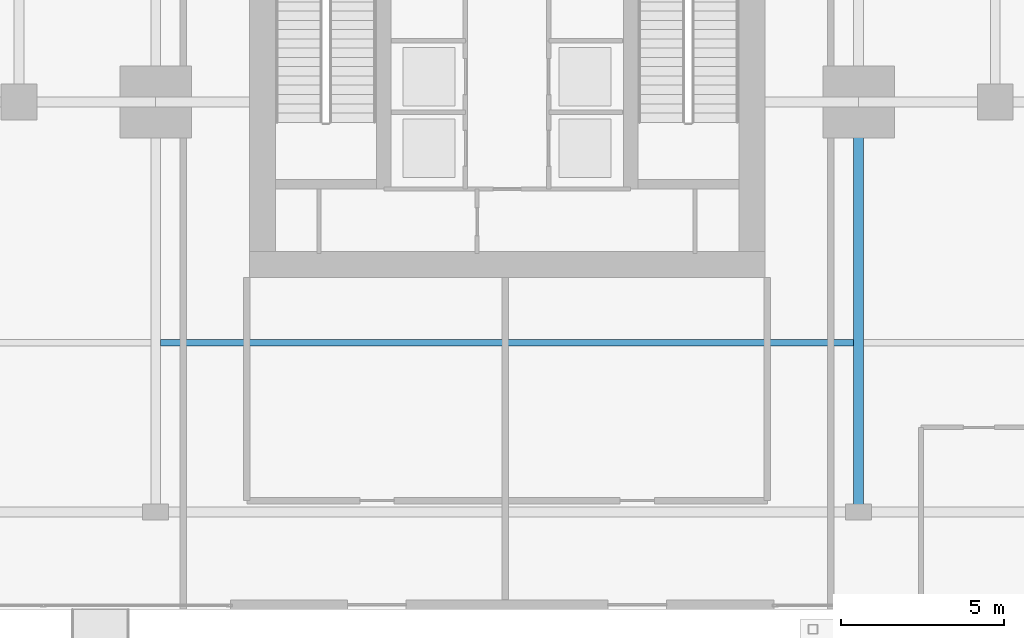
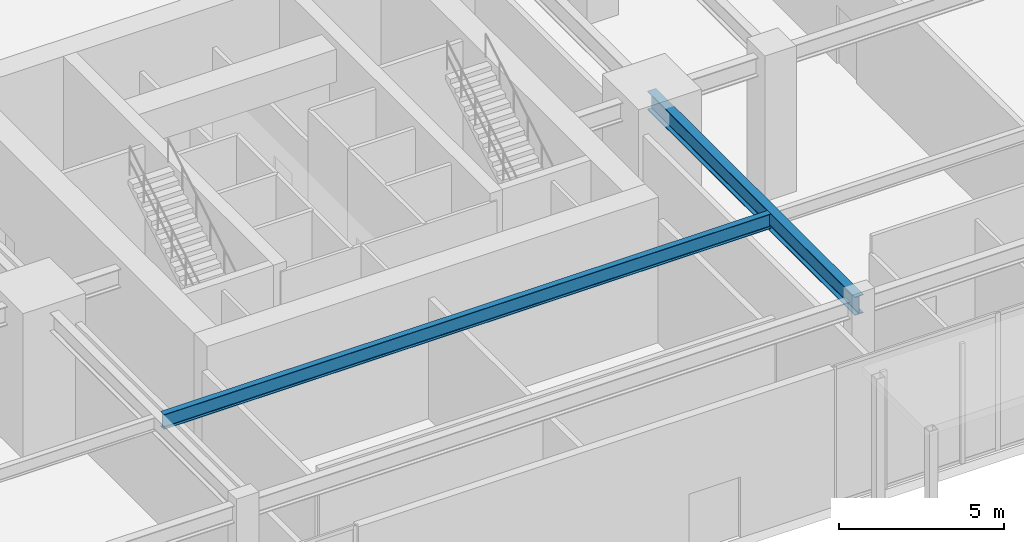
# One storey, part 11 of 28: 2 beams.
"""IFC4 building model written with IfcOpenShell, lengths in metres."""

import ifcopenshell
import ifcopenshell.guid

model = None  # the IFC model being written
_history = None  # IfcOwnerHistory: only IFC2X3 demands one
_inside = {}  # id of a spatial element -> (the spatial element, [elements in it])
_under = {}  # id of a project, library or spatial element -> (it, [spatial elements below it])
_declared = {}  # id of a project -> (the project, [libraries it declares])
_typed = {}  # id of a type object -> (the type object, [elements of that type])
_made_of = {}  # id of a material, layer set ... -> (it, [elements and type objects made of it])


def new_model(schema):
    """Start an empty IFC model of exactly this schema.

    Asked for "IFC4X3", IfcOpenShell would pick the latest addendum, in which some entities
    have other attributes; the version numbers below select the first issue.
    IFC2X3 requires an IfcOwnerHistory on every rooted entity: one is made here for all.
    """
    global model, _history
    if schema == "IFC4X3":
        model = ifcopenshell.file(schema_version=(4, 3, 0, 0))
    else:
        model = ifcopenshell.file(schema=schema)
    _inside.clear()
    _under.clear()
    _declared.clear()
    _typed.clear()
    _made_of.clear()
    _history = None
    if model.schema == "IFC2X3":
        org = make("IfcOrganization", Name="unknown")
        user = make(
            "IfcPersonAndOrganization",
            ThePerson=make("IfcPerson", FamilyName="unknown"),
            TheOrganization=org,
        )
        app = make(
            "IfcApplication",
            ApplicationDeveloper=org,
            Version="unknown",
            ApplicationFullName="unknown",
            ApplicationIdentifier="unknown",
        )
        _history = make(
            "IfcOwnerHistory",
            OwningUser=user,
            OwningApplication=app,
            ChangeAction="ADDED",
            CreationDate=0,
        )
    return model


def make(cls, **values):
    """One entity of the class cls with the attributes given. An attribute that is None is left unset."""
    return model.create_entity(
        cls, **{name: value for name, value in values.items() if value is not None}
    )


def rooted(cls, **values):
    """An entity with a GlobalId (a new one), such as an element, a storey or a relation."""
    return make(cls, GlobalId=ifcopenshell.guid.new(), OwnerHistory=_history, **values)


def si_unit(unit_type, name, prefix=None):
    """IfcSIUnit, for example si_unit("LENGTHUNIT", "METRE", prefix="MILLI")."""
    return make("IfcSIUnit", UnitType=unit_type, Prefix=prefix, Name=name)


def assignment(units):
    """IfcUnitAssignment: the units of a project."""
    return None if units is None else make("IfcUnitAssignment", Units=units)


def point(xyz):
    """IfcCartesianPoint."""
    return None if xyz is None else make("IfcCartesianPoint", Coordinates=xyz)


def direction(xyz):
    """IfcDirection."""
    return None if xyz is None else make("IfcDirection", DirectionRatios=xyz)


def frame(location, z_axis=None, x_axis=None):
    """IfcAxis2Placement3D, a coordinate frame: its origin and axes. An axis left out is left unset."""
    return make(
        "IfcAxis2Placement3D",
        Location=point(location),
        Axis=direction(z_axis),
        RefDirection=direction(x_axis),
    )


def frame_2d(location, x_axis=None):
    """IfcAxis2Placement2D, a coordinate frame in the plane: its origin and x axis."""
    return make(
        "IfcAxis2Placement2D", Location=point(location), RefDirection=direction(x_axis)
    )


def origin():
    """The frame at (0, 0, 0) with its axes left unset."""
    return frame((0.0, 0.0, 0.0))


def origin_2d():
    """The frame at (0, 0) in the plane with its x axis left unset."""
    return frame_2d((0.0, 0.0))


def place(relative_to, where):
    """IfcLocalPlacement: puts the frame where relative to a parent placement (None: the world)."""
    return make(
        "IfcLocalPlacement", PlacementRelTo=relative_to, RelativePlacement=where
    )


def context(
    kind, dimensions, precision=None, world=None, true_north=None, identifier=None
):
    """IfcGeometricRepresentationContext, for example the 3D "Model" context."""
    return make(
        "IfcGeometricRepresentationContext",
        ContextIdentifier=identifier,
        ContextType=kind,
        CoordinateSpaceDimension=dimensions,
        Precision=precision,
        WorldCoordinateSystem=world,
        TrueNorth=true_north,
    )


def subcontext(parent, identifier, kind, view, scale=None):
    """IfcGeometricRepresentationSubContext, for example "Body" below "Model"."""
    return make(
        "IfcGeometricRepresentationSubContext",
        ContextIdentifier=identifier,
        ContextType=kind,
        ParentContext=parent,
        TargetScale=scale,
        TargetView=view,
    )


def project(units=None, contexts=None):
    """IfcProject with its units and contexts."""
    return rooted(
        "IfcProject",
        Name="project",
        RepresentationContexts=contexts,
        UnitsInContext=assignment(units),
    )


def spatial(cls, under=None, at=None, **own):
    """A site, building, storey or space (cls), placed at a placement, below another one or the project."""
    s = rooted(cls, ObjectPlacement=at, **own)
    if under is not None:
        _under.setdefault(under.id(), (under, []))[1].append(s)
    return s


def profile(cls, at=None, kind="AREA", **sizes):
    """A parametric profile (cls). Its sizes go by their IFC names, for example OverallWidth=200.0."""
    return make(cls, ProfileType=kind, Position=at, **sizes)


def i_section(**sizes):
    """IfcIShapeProfileDef."""
    return profile("IfcIShapeProfileDef", **sizes)


def extrude(swept, where, along, depth):
    """IfcExtrudedAreaSolid: the profile swept, set in the frame where, extruded along a direction by depth."""
    return make(
        "IfcExtrudedAreaSolid",
        SweptArea=swept,
        Position=where,
        ExtrudedDirection=direction(along),
        Depth=depth,
    )


def shape(context_of_items, identifier, shape_type, items):
    """IfcShapeRepresentation: the items that make up one representation, for example the "Body"."""
    return make(
        "IfcShapeRepresentation",
        ContextOfItems=context_of_items,
        RepresentationIdentifier=identifier,
        RepresentationType=shape_type,
        Items=items,
    )


def source(mapping_origin, context_of_items, identifier, shape_type, items):
    """IfcRepresentationMap: a shape defined once, which mapped items show again and again."""
    return make(
        "IfcRepresentationMap",
        MappingOrigin=mapping_origin,
        MappedRepresentation=shape(context_of_items, identifier, shape_type, items),
    )


def transform(
    local_origin,
    x_axis=None,
    y_axis=None,
    z_axis=None,
    scale=None,
    scale2=None,
    scale3=None,
    uniform=True,
):
    """IfcCartesianTransformationOperator3D, or its non-uniform kind. x_axis, y_axis, z_axis: its Axis1, 2, 3."""
    if uniform:
        return make(
            "IfcCartesianTransformationOperator3D",
            Axis1=direction(x_axis),
            Axis2=direction(y_axis),
            LocalOrigin=point(local_origin),
            Scale=scale,
            Axis3=direction(z_axis),
        )
    return make(
        "IfcCartesianTransformationOperator3DnonUniform",
        Axis1=direction(x_axis),
        Axis2=direction(y_axis),
        LocalOrigin=point(local_origin),
        Scale=scale,
        Axis3=direction(z_axis),
        Scale2=scale2,
        Scale3=scale3,
    )


def mapped(mapping_source, mapping_target):
    """IfcMappedItem: shows the shape of a source again, moved by a transform."""
    return make(
        "IfcMappedItem", MappingSource=mapping_source, MappingTarget=mapping_target
    )


def material(Name=None, Category=None):
    """IfcMaterial."""
    return make("IfcMaterial", Name=Name, Category=Category)


def material_profile(
    of_material, cross_section, Name=None, Category=None, Priority=None
):
    """IfcMaterialProfile: a cross section and its material."""
    return make(
        "IfcMaterialProfile",
        Name=Name,
        Material=of_material,
        Profile=cross_section,
        Priority=Priority,
        Category=Category,
    )


def profile_set(profiles, Name=None, composite=None):
    """IfcMaterialProfileSet."""
    return make(
        "IfcMaterialProfileSet",
        Name=Name,
        MaterialProfiles=profiles,
        CompositeProfile=composite,
    )


def made_of(thing, what):
    """Note that an element or type object is made of a material, layer set ...; save() writes the relation."""
    if what is not None:
        _made_of.setdefault(what.id(), (what, []))[1].append(thing)
    return thing


def type_object(cls, material=None, **own):
    """A type object (cls), such as IfcWallType, which elements share."""
    return made_of(rooted(cls, **own), material)


def type_shapes(of_type, sources):
    """Give a type object the sources (RepresentationMaps) that its elements show as mapped items."""
    of_type.RepresentationMaps = sources


def element(
    cls,
    number,
    at=None,
    inside=None,
    cuts=None,
    type_object=None,
    material=None,
    context=None,
    identifier="Body",
    shape_type=None,
    held_by="IfcProductDefinitionShape",
    body=None,
    shapes=None,
    **own,
):
    """One element of the class cls, such as IfcWall. Its Tag is "e" and its number.

    at: its placement. inside: the storey or other place that contains it. cuts: it is an
    opening in that element (IfcRelVoidsElement). A single representation is given by context,
    identifier, shape_type and body (its items); several are given by shapes. held_by: the class
    of the entity that holds the representations. save() writes the other relations.
    """
    e = rooted(cls, Tag="e%d" % number, ObjectPlacement=at, **own)
    if body is not None:
        shapes = [shape(context, identifier, shape_type, body)]
    if shapes is not None:
        e.Representation = make(held_by, Representations=shapes)
    if inside is not None:
        _inside.setdefault(inside.id(), (inside, []))[1].append(e)
    if cuts is not None:
        rooted(
            "IfcRelVoidsElement", RelatingBuildingElement=cuts, RelatedOpeningElement=e
        )
    if type_object is not None:
        _typed.setdefault(type_object.id(), (type_object, []))[1].append(e)
    return made_of(e, material)


def aggregate(whole, parts):
    """IfcRelAggregates: a whole, such as a stair, and the parts it consists of."""
    return rooted("IfcRelAggregates", RelatingObject=whole, RelatedObjects=parts)


def save(model, path):
    """Write the relations noted so far, then the file.

    IfcRelAggregates (storeys below a building ...), IfcRelContainedInSpatialStructure (elements
    in a storey), IfcRelDefinesByType, IfcRelAssociatesMaterial and IfcRelDeclares: one each for
    every whole, place, type object, material and project.
    """
    for whole, parts in _under.values():
        aggregate(whole, parts)
    for where, things in _inside.values():
        rooted(
            "IfcRelContainedInSpatialStructure",
            RelatedElements=things,
            RelatingStructure=where,
        )
    for kind, things in _typed.values():
        rooted("IfcRelDefinesByType", RelatedObjects=things, RelatingType=kind)
    for what, things in _made_of.values():
        rooted("IfcRelAssociatesMaterial", RelatedObjects=things, RelatingMaterial=what)
    for by, libraries in _declared.values():
        rooted("IfcRelDeclares", RelatingContext=by, RelatedDefinitions=libraries)
    model.write(path)


model = new_model("IFC4")

# Units and contexts
model_context = context("Model", 3, precision=1e-05, world=origin(), true_north=direction((0.0, 1.0)))
body_context = subcontext(model_context, "Body", "Model", "MODEL_VIEW")
ifc_project = project(units=[si_unit("LENGTHUNIT", "METRE"), si_unit("AREAUNIT", "SQUARE_METRE"), si_unit("VOLUMEUNIT", "CUBIC_METRE"), si_unit("PLANEANGLEUNIT", "RADIAN"), si_unit("MASSUNIT", "GRAM", prefix="KILO")], contexts=[model_context])

# Site, building, storey
site_placement = place(None, origin())
site = spatial("IfcSite", under=ifc_project, at=site_placement, CompositionType="ELEMENT")
building_placement = place(site_placement, origin())
building = spatial("IfcBuilding", under=site, at=building_placement, Name="Krantzveldt Concourse Tower", CompositionType="ELEMENT")
storey_placement = place(building_placement, origin())
storey = spatial("IfcBuildingStorey", under=building, at=storey_placement, Name="L00", CompositionType="ELEMENT", Elevation=0.0)

# Beams
ifc_material = material(Name="Steel S355JR", Category="steel")
ifc_material_profile_1 = material_profile(ifc_material, i_section(OverallWidth=0.300048828125, OverallDepth=0.68994140625, WebThickness=0.014404296875, FlangeThickness=0.027099609375, FilletRadius=0.027099609375, at=origin_2d()), Name="Steel S355JR", Category="steel")
ifc_profile_set_1 = profile_set([ifc_material_profile_1], Name="Steel S355JR - HEA 700")
beam_type_1 = type_object("IfcBeamType", Name="BM-B-HEA700", PredefinedType="BEAM", material=ifc_profile_set_1)
shared_shape_1 = source(origin(), body_context, "Body", "SweptSolid", [
    extrude(i_section(OverallWidth=0.300048828125, OverallDepth=0.68994140625, WebThickness=0.014404296875, FlangeThickness=0.027099609375, FilletRadius=0.027099609375, at=origin_2d()), origin(), (0.0, 0.0, 1.0), 12.599853515625),
])
type_shapes(beam_type_1, [shared_shape_1])
beam_1_placement = place(storey_placement, frame((46.800048828125, 3.300048828125, 4.7548828125), z_axis=(0.0, 1.0, 0.0), x_axis=(-1.0, 0.0, 0.0)))
element("IfcBeam", 1, at=beam_1_placement, inside=storey, type_object=beam_type_1, Name="L00 Podium Primary Girder BG-PS2", PredefinedType="BEAM", context=body_context, shape_type="MappedRepresentation", body=[
    mapped(shared_shape_1, transform((0.0, 0.0, 0.0), x_axis=(1.0, 0.0, 0.0), y_axis=(0.0, 1.0, 0.0), z_axis=(0.0, 0.0, 1.0), scale=1.0)),
])
ifc_material_profile_2 = material_profile(ifc_material, i_section(OverallWidth=0.2099609375, OverallDepth=0.550048828125, WebThickness=0.010986328125, FlangeThickness=0.01708984375, FilletRadius=0.02392578125, at=origin_2d()), Name="Steel S355JR", Category="steel")
ifc_profile_set_2 = profile_set([ifc_material_profile_2], Name="Steel S355JR - IPE 550")
beam_type_2 = type_object("IfcBeamType", Name="BM-J-IPE550", PredefinedType="JOIST", material=ifc_profile_set_2)
shared_shape_2 = source(origin(), body_context, "Body", "SweptSolid", [
    extrude(i_section(OverallWidth=0.2099609375, OverallDepth=0.550048828125, WebThickness=0.010986328125, FlangeThickness=0.01708984375, FilletRadius=0.02392578125, at=origin_2d()), origin(), (0.0, 0.0, 1.0), 21.2998046875),
])
type_shapes(beam_type_2, [shared_shape_2])
beam_2_placement = place(storey_placement, frame((25.35009765625, 8.5, 4.824951171875), z_axis=(1.0, 0.0, 0.0), x_axis=(0.0, 1.0, 0.0)))
element("IfcBeam", 2, at=beam_2_placement, inside=storey, type_object=beam_type_2, Name="L00 Central Floor Joist 1", PredefinedType="JOIST", context=body_context, shape_type="MappedRepresentation", body=[
    mapped(shared_shape_2, transform((0.0, 0.0, 0.0), x_axis=(1.0, 0.0, 0.0), y_axis=(0.0, 1.0, 0.0), z_axis=(0.0, 0.0, 1.0), scale=1.0)),
])

save(model, "model.ifc")
